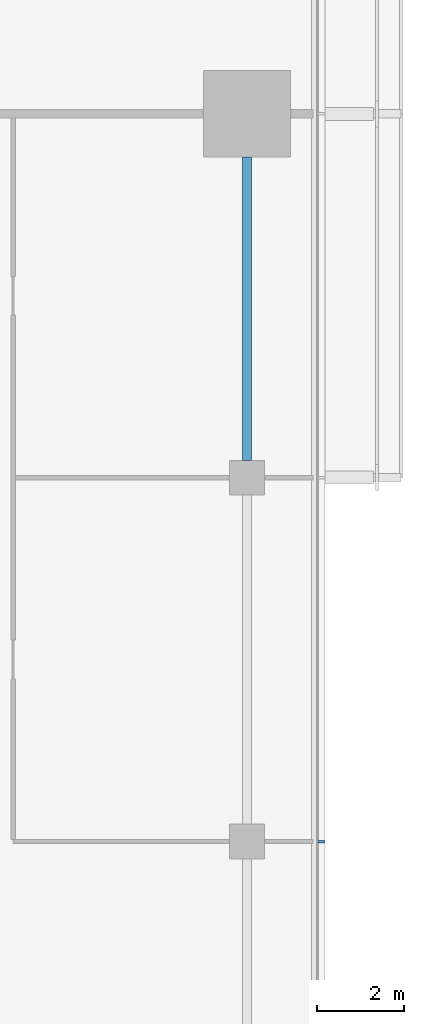
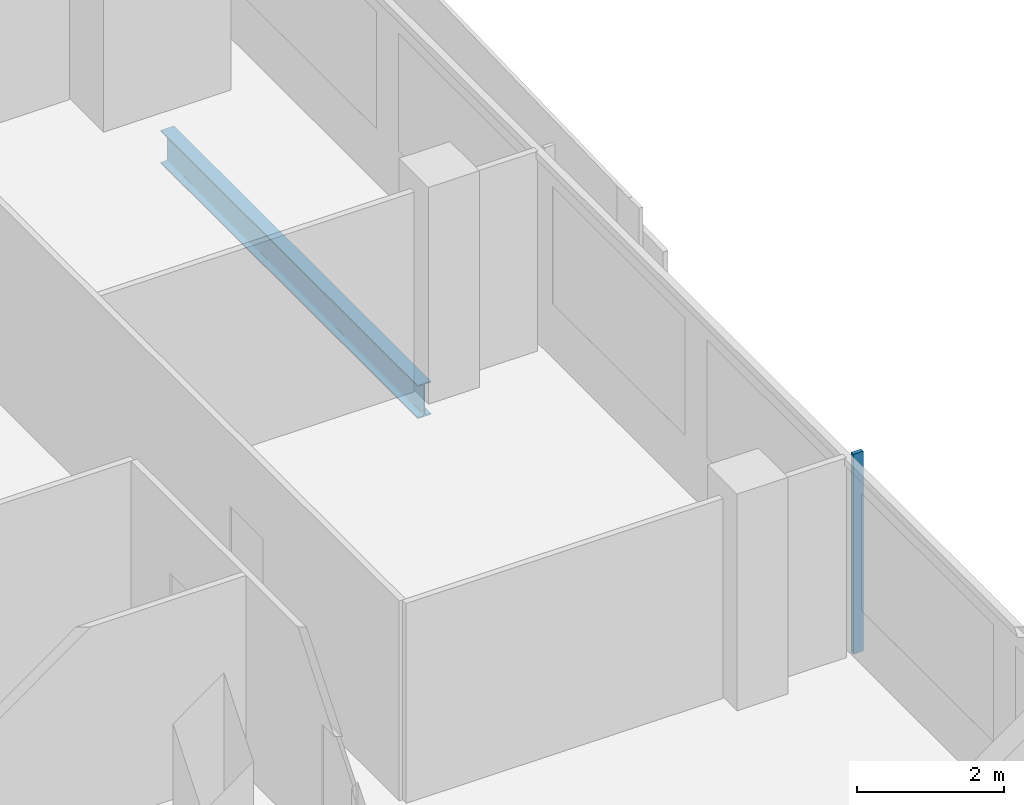
# One storey, part 12 of 29: 1 beam, 1 member, 1 element without a shape of its own.
"""IFC4 building model written with IfcOpenShell, lengths in metres."""

from ifc_helpers import new_model, si_unit, direction, frame, origin, origin_2d, place, context, subcontext, project, spatial, rectangle, i_section, extrude, material, material_profile, profile_set, type_object, element, aggregate, save


model = new_model("IFC4")

# Units and contexts
model_context = context("Model", 3, precision=1e-05, world=origin(), true_north=direction((0.0, 1.0)))
body_context = subcontext(model_context, "Body", "Model", "MODEL_VIEW")
ifc_project = project(units=[si_unit("LENGTHUNIT", "METRE"), si_unit("AREAUNIT", "SQUARE_METRE"), si_unit("VOLUMEUNIT", "CUBIC_METRE"), si_unit("PLANEANGLEUNIT", "RADIAN"), si_unit("MASSUNIT", "GRAM", prefix="KILO")], contexts=[model_context])

# Site, building, storey
site_placement = place(None, origin())
site = spatial("IfcSite", under=ifc_project, at=site_placement, CompositionType="ELEMENT")
building_placement = place(site_placement, origin())
building = spatial("IfcBuilding", under=site, at=building_placement, Name="Saffron Gate Tower", CompositionType="ELEMENT")
storey_placement = place(building_placement, frame((0.0, 0.0, 113.25)))
storey = spatial("IfcBuildingStorey", under=building, at=storey_placement, Name="L26", CompositionType="ELEMENT", Elevation=113.25)

# Beam
ifc_material_1 = material(Name="Structural steel S355", Category="steel")
ifc_material_profile_1 = material_profile(ifc_material_1, i_section(OverallWidth=0.2099609375, OverallDepth=0.550048828125, WebThickness=0.010986328125, FlangeThickness=0.01708984375, FilletRadius=0.02392578125, at=origin_2d()))
ifc_profile_set_1 = profile_set([ifc_material_profile_1], Name="Structural steel S355")
beam_type = type_object("IfcBeamType", Name="B13 IPE 550", PredefinedType="SPANDREL", material=ifc_profile_set_1)
beam_placement = place(storey_placement, frame((125.39990234375, 57.39990234375, -0.554931640625), z_axis=(0.0, 1.0, 0.0), x_axis=(-1.0, 0.0, 0.0)))
element("IfcBeam", 1, at=beam_placement, inside=storey, type_object=beam_type, Name="B13 SPANDREL BEAM", PredefinedType="SPANDREL", context=body_context, shape_type="SweptSolid", body=[
    extrude(i_section(OverallWidth=0.2099609375, OverallDepth=0.550048828125, WebThickness=0.010986328125, FlangeThickness=0.01708984375, FilletRadius=0.02392578125, at=origin_2d()), origin(), (0.0, 0.0, 1.0), 7.0),
])

# Curtain wall, member
ifc_material_2 = material(Name="Aluminium, bronze anodised", Category="aluminium")
curtain_wall_type = type_object("IfcCurtainWallType", Name="CWS2 curtain wall side facades", PredefinedType="NOTDEFINED", material=ifc_material_2)
curtain_wall_placement = place(storey_placement, origin())
curtain_wall = element("IfcCurtainWall", 2, at=curtain_wall_placement, inside=storey, type_object=curtain_wall_type, Name="CWS2 run 4", PredefinedType="NOTDEFINED")
ifc_material_profile_2 = material_profile(ifc_material_2, rectangle(XDim=0.159912109375, YDim=0.06005859375, at=origin_2d()))
ifc_profile_set_2 = profile_set([ifc_material_profile_2], Name="Aluminium, bronze anodised")
member_type = type_object("IfcMemberType", Name="CWS2 mullion 60x160", PredefinedType="MULLION", material=ifc_profile_set_2)
member_placement = place(storey_placement, frame((127.1201171875, 48.60009765625, 0.0), z_axis=(0.0, 0.0, 1.0), x_axis=(-1.0, 0.0, 0.0)))
member = element("IfcMember", 3, at=member_placement, type_object=member_type, Name="CWS2 mullion 3", PredefinedType="MULLION", context=body_context, shape_type="SweptSolid", body=[
    extrude(rectangle(XDim=0.159912109375, YDim=0.06005859375, at=origin_2d()), origin(), (0.0, 0.0, 1.0), 3.320068359375),
])
aggregate(curtain_wall, [member])

save(model, "model.ifc")
